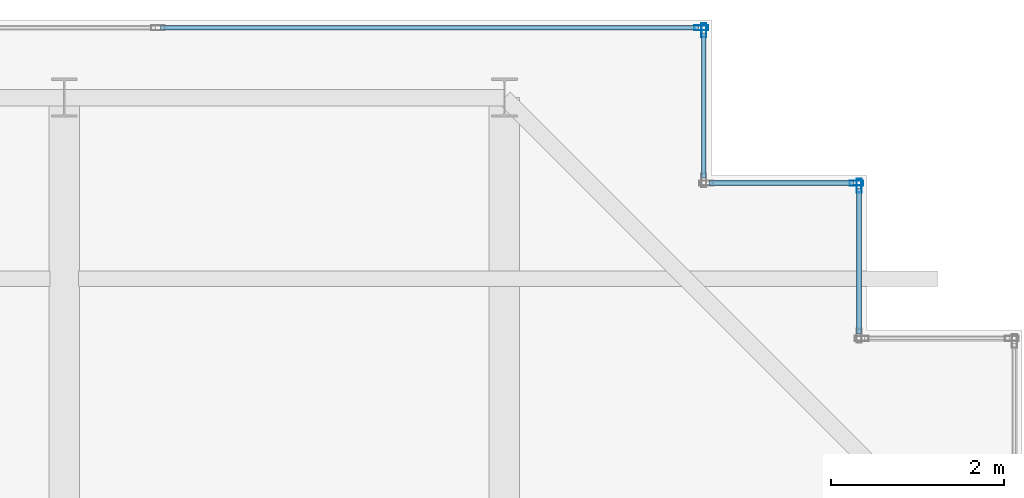
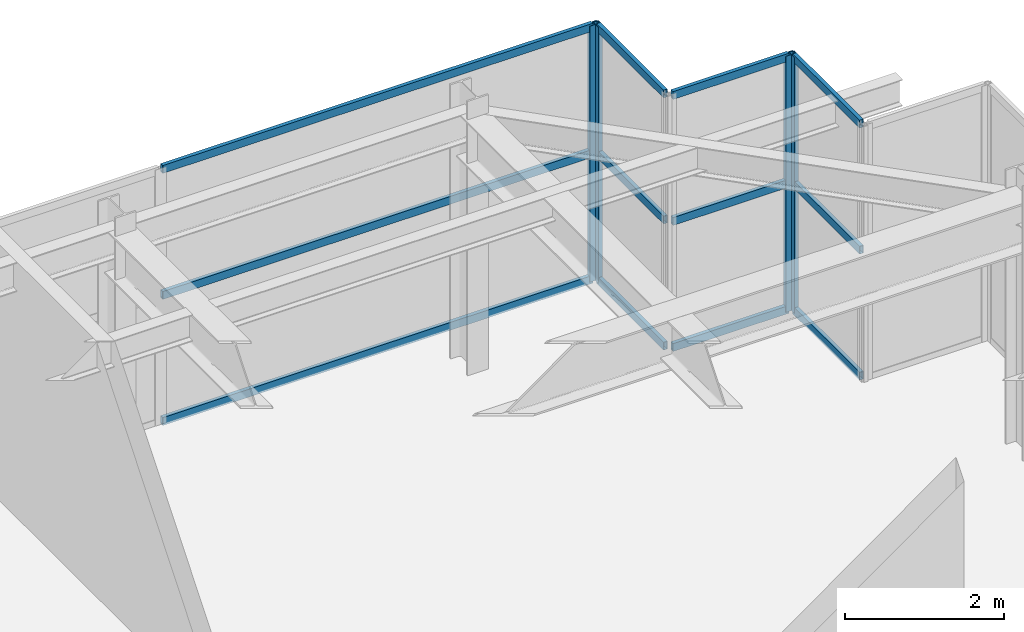
# One storey, part 28 of 32: 16 members, 4 elements without a shape of their own.
"""IFC4 building model written with IfcOpenShell, lengths in metres."""

import ifcopenshell
import ifcopenshell.guid

model = None  # the IFC model being written
_history = None  # IfcOwnerHistory: only IFC2X3 demands one
_inside = {}  # id of a spatial element -> (the spatial element, [elements in it])
_under = {}  # id of a project, library or spatial element -> (it, [spatial elements below it])
_declared = {}  # id of a project -> (the project, [libraries it declares])
_typed = {}  # id of a type object -> (the type object, [elements of that type])
_made_of = {}  # id of a material, layer set ... -> (it, [elements and type objects made of it])


def new_model(schema):
    """Start an empty IFC model of exactly this schema.

    Asked for "IFC4X3", IfcOpenShell would pick the latest addendum, in which some entities
    have other attributes; the version numbers below select the first issue.
    IFC2X3 requires an IfcOwnerHistory on every rooted entity: one is made here for all.
    """
    global model, _history
    if schema == "IFC4X3":
        model = ifcopenshell.file(schema_version=(4, 3, 0, 0))
    else:
        model = ifcopenshell.file(schema=schema)
    _inside.clear()
    _under.clear()
    _declared.clear()
    _typed.clear()
    _made_of.clear()
    _history = None
    if model.schema == "IFC2X3":
        org = make("IfcOrganization", Name="unknown")
        user = make(
            "IfcPersonAndOrganization",
            ThePerson=make("IfcPerson", FamilyName="unknown"),
            TheOrganization=org,
        )
        app = make(
            "IfcApplication",
            ApplicationDeveloper=org,
            Version="unknown",
            ApplicationFullName="unknown",
            ApplicationIdentifier="unknown",
        )
        _history = make(
            "IfcOwnerHistory",
            OwningUser=user,
            OwningApplication=app,
            ChangeAction="ADDED",
            CreationDate=0,
        )
    return model


def make(cls, **values):
    """One entity of the class cls with the attributes given. An attribute that is None is left unset."""
    return model.create_entity(
        cls, **{name: value for name, value in values.items() if value is not None}
    )


def rooted(cls, **values):
    """An entity with a GlobalId (a new one), such as an element, a storey or a relation."""
    return make(cls, GlobalId=ifcopenshell.guid.new(), OwnerHistory=_history, **values)


def si_unit(unit_type, name, prefix=None):
    """IfcSIUnit, for example si_unit("LENGTHUNIT", "METRE", prefix="MILLI")."""
    return make("IfcSIUnit", UnitType=unit_type, Prefix=prefix, Name=name)


def assignment(units):
    """IfcUnitAssignment: the units of a project."""
    return None if units is None else make("IfcUnitAssignment", Units=units)


def point(xyz):
    """IfcCartesianPoint."""
    return None if xyz is None else make("IfcCartesianPoint", Coordinates=xyz)


def direction(xyz):
    """IfcDirection."""
    return None if xyz is None else make("IfcDirection", DirectionRatios=xyz)


def frame(location, z_axis=None, x_axis=None):
    """IfcAxis2Placement3D, a coordinate frame: its origin and axes. An axis left out is left unset."""
    return make(
        "IfcAxis2Placement3D",
        Location=point(location),
        Axis=direction(z_axis),
        RefDirection=direction(x_axis),
    )


def frame_2d(location, x_axis=None):
    """IfcAxis2Placement2D, a coordinate frame in the plane: its origin and x axis."""
    return make(
        "IfcAxis2Placement2D", Location=point(location), RefDirection=direction(x_axis)
    )


def origin():
    """The frame at (0, 0, 0) with its axes left unset."""
    return frame((0.0, 0.0, 0.0))


def origin_2d():
    """The frame at (0, 0) in the plane with its x axis left unset."""
    return frame_2d((0.0, 0.0))


def place(relative_to, where):
    """IfcLocalPlacement: puts the frame where relative to a parent placement (None: the world)."""
    return make(
        "IfcLocalPlacement", PlacementRelTo=relative_to, RelativePlacement=where
    )


def context(
    kind, dimensions, precision=None, world=None, true_north=None, identifier=None
):
    """IfcGeometricRepresentationContext, for example the 3D "Model" context."""
    return make(
        "IfcGeometricRepresentationContext",
        ContextIdentifier=identifier,
        ContextType=kind,
        CoordinateSpaceDimension=dimensions,
        Precision=precision,
        WorldCoordinateSystem=world,
        TrueNorth=true_north,
    )


def subcontext(parent, identifier, kind, view, scale=None):
    """IfcGeometricRepresentationSubContext, for example "Body" below "Model"."""
    return make(
        "IfcGeometricRepresentationSubContext",
        ContextIdentifier=identifier,
        ContextType=kind,
        ParentContext=parent,
        TargetScale=scale,
        TargetView=view,
    )


def project(units=None, contexts=None):
    """IfcProject with its units and contexts."""
    return rooted(
        "IfcProject",
        Name="project",
        RepresentationContexts=contexts,
        UnitsInContext=assignment(units),
    )


def spatial(cls, under=None, at=None, **own):
    """A site, building, storey or space (cls), placed at a placement, below another one or the project."""
    s = rooted(cls, ObjectPlacement=at, **own)
    if under is not None:
        _under.setdefault(under.id(), (under, []))[1].append(s)
    return s


def profile(cls, at=None, kind="AREA", **sizes):
    """A parametric profile (cls). Its sizes go by their IFC names, for example OverallWidth=200.0."""
    return make(cls, ProfileType=kind, Position=at, **sizes)


def hollow_rectangle(**sizes):
    """IfcRectangleHollowProfileDef."""
    return profile("IfcRectangleHollowProfileDef", **sizes)


def extrude(swept, where, along, depth):
    """IfcExtrudedAreaSolid: the profile swept, set in the frame where, extruded along a direction by depth."""
    return make(
        "IfcExtrudedAreaSolid",
        SweptArea=swept,
        Position=where,
        ExtrudedDirection=direction(along),
        Depth=depth,
    )


def shape(context_of_items, identifier, shape_type, items):
    """IfcShapeRepresentation: the items that make up one representation, for example the "Body"."""
    return make(
        "IfcShapeRepresentation",
        ContextOfItems=context_of_items,
        RepresentationIdentifier=identifier,
        RepresentationType=shape_type,
        Items=items,
    )


def source(mapping_origin, context_of_items, identifier, shape_type, items):
    """IfcRepresentationMap: a shape defined once, which mapped items show again and again."""
    return make(
        "IfcRepresentationMap",
        MappingOrigin=mapping_origin,
        MappedRepresentation=shape(context_of_items, identifier, shape_type, items),
    )


def transform(
    local_origin,
    x_axis=None,
    y_axis=None,
    z_axis=None,
    scale=None,
    scale2=None,
    scale3=None,
    uniform=True,
):
    """IfcCartesianTransformationOperator3D, or its non-uniform kind. x_axis, y_axis, z_axis: its Axis1, 2, 3."""
    if uniform:
        return make(
            "IfcCartesianTransformationOperator3D",
            Axis1=direction(x_axis),
            Axis2=direction(y_axis),
            LocalOrigin=point(local_origin),
            Scale=scale,
            Axis3=direction(z_axis),
        )
    return make(
        "IfcCartesianTransformationOperator3DnonUniform",
        Axis1=direction(x_axis),
        Axis2=direction(y_axis),
        LocalOrigin=point(local_origin),
        Scale=scale,
        Axis3=direction(z_axis),
        Scale2=scale2,
        Scale3=scale3,
    )


def mapped(mapping_source, mapping_target):
    """IfcMappedItem: shows the shape of a source again, moved by a transform."""
    return make(
        "IfcMappedItem", MappingSource=mapping_source, MappingTarget=mapping_target
    )


def material(Name=None, Category=None):
    """IfcMaterial."""
    return make("IfcMaterial", Name=Name, Category=Category)


def layer(
    of_material, thickness, ventilated=None, Name=None, Category=None, Priority=None
):
    """IfcMaterialLayer: one layer of a wall or slab, of a material (None: an air gap)."""
    return make(
        "IfcMaterialLayer",
        Material=of_material,
        LayerThickness=thickness,
        IsVentilated=ventilated,
        Name=Name,
        Category=Category,
        Priority=Priority,
    )


def layer_set(layers, Name=None):
    """IfcMaterialLayerSet."""
    return make("IfcMaterialLayerSet", MaterialLayers=layers, LayerSetName=Name)


def material_profile(
    of_material, cross_section, Name=None, Category=None, Priority=None
):
    """IfcMaterialProfile: a cross section and its material."""
    return make(
        "IfcMaterialProfile",
        Name=Name,
        Material=of_material,
        Profile=cross_section,
        Priority=Priority,
        Category=Category,
    )


def profile_set(profiles, Name=None, composite=None):
    """IfcMaterialProfileSet."""
    return make(
        "IfcMaterialProfileSet",
        Name=Name,
        MaterialProfiles=profiles,
        CompositeProfile=composite,
    )


def made_of(thing, what):
    """Note that an element or type object is made of a material, layer set ...; save() writes the relation."""
    if what is not None:
        _made_of.setdefault(what.id(), (what, []))[1].append(thing)
    return thing


def type_object(cls, material=None, **own):
    """A type object (cls), such as IfcWallType, which elements share."""
    return made_of(rooted(cls, **own), material)


def element(
    cls,
    number,
    at=None,
    inside=None,
    cuts=None,
    type_object=None,
    material=None,
    context=None,
    identifier="Body",
    shape_type=None,
    held_by="IfcProductDefinitionShape",
    body=None,
    shapes=None,
    **own,
):
    """One element of the class cls, such as IfcWall. Its Tag is "e" and its number.

    at: its placement. inside: the storey or other place that contains it. cuts: it is an
    opening in that element (IfcRelVoidsElement). A single representation is given by context,
    identifier, shape_type and body (its items); several are given by shapes. held_by: the class
    of the entity that holds the representations. save() writes the other relations.
    """
    e = rooted(cls, Tag="e%d" % number, ObjectPlacement=at, **own)
    if body is not None:
        shapes = [shape(context, identifier, shape_type, body)]
    if shapes is not None:
        e.Representation = make(held_by, Representations=shapes)
    if inside is not None:
        _inside.setdefault(inside.id(), (inside, []))[1].append(e)
    if cuts is not None:
        rooted(
            "IfcRelVoidsElement", RelatingBuildingElement=cuts, RelatedOpeningElement=e
        )
    if type_object is not None:
        _typed.setdefault(type_object.id(), (type_object, []))[1].append(e)
    return made_of(e, material)


def aggregate(whole, parts):
    """IfcRelAggregates: a whole, such as a stair, and the parts it consists of."""
    return rooted("IfcRelAggregates", RelatingObject=whole, RelatedObjects=parts)


def save(model, path):
    """Write the relations noted so far, then the file.

    IfcRelAggregates (storeys below a building ...), IfcRelContainedInSpatialStructure (elements
    in a storey), IfcRelDefinesByType, IfcRelAssociatesMaterial and IfcRelDeclares: one each for
    every whole, place, type object, material and project.
    """
    for whole, parts in _under.values():
        aggregate(whole, parts)
    for where, things in _inside.values():
        rooted(
            "IfcRelContainedInSpatialStructure",
            RelatedElements=things,
            RelatingStructure=where,
        )
    for kind, things in _typed.values():
        rooted("IfcRelDefinesByType", RelatedObjects=things, RelatingType=kind)
    for what, things in _made_of.values():
        rooted("IfcRelAssociatesMaterial", RelatedObjects=things, RelatingMaterial=what)
    for by, libraries in _declared.values():
        rooted("IfcRelDeclares", RelatingContext=by, RelatedDefinitions=libraries)
    model.write(path)


model = new_model("IFC4")

# Units and contexts
model_context = context("Model", 3, precision=1e-05, world=origin(), true_north=direction((0.0, 1.0)))
body_context = subcontext(model_context, "Body", "Model", "MODEL_VIEW")
ifc_project = project(units=[si_unit("LENGTHUNIT", "METRE"), si_unit("AREAUNIT", "SQUARE_METRE"), si_unit("VOLUMEUNIT", "CUBIC_METRE"), si_unit("PLANEANGLEUNIT", "RADIAN"), si_unit("MASSUNIT", "GRAM", prefix="KILO")], contexts=[model_context])

# Site, building, storey
site_placement = place(None, origin())
site = spatial("IfcSite", under=ifc_project, at=site_placement, CompositionType="ELEMENT")
building_placement = place(site_placement, origin())
building = spatial("IfcBuilding", under=site, at=building_placement, Name="Khoralis Quay Care Tower", CompositionType="ELEMENT")
storey_placement = place(building_placement, frame((0.0, 0.0, 297.89990234375)))
storey = spatial("IfcBuildingStorey", under=building, at=storey_placement, Name="L78", CompositionType="ELEMENT", Elevation=297.89990234375)

# Curtain wall, member
ifc_material = material(Name="Pale anodised aluminium", Category="aluminium")
ifc_layer = layer(ifc_material, 0.199951171875)
ifc_layer_set = layer_set([ifc_layer], Name="Pale anodised aluminium")
curtain_wall_type = type_object("IfcCurtainWallType", Name="CW-SYS-LANTERN", PredefinedType="NOTDEFINED", material=ifc_layer_set)
curtain_wall_1_placement = place(storey_placement, origin())
curtain_wall_1 = element("IfcCurtainWall", 1, at=curtain_wall_1_placement, inside=storey, type_object=curtain_wall_type, Name="L78 Unitised Curtain Wall CW-LN-L78-08", PredefinedType="NOTDEFINED")
ifc_material_profile_1 = material_profile(ifc_material, hollow_rectangle(XDim=0.06005859375, YDim=0.159912109375, WallThickness=0.00390625, at=origin_2d()), Name="Pale anodised aluminium")
ifc_profile_set_1 = profile_set([ifc_material_profile_1], Name="Pale anodised aluminium")
member_type_1 = type_object("IfcMemberType", Name="CW-MUL-160", PredefinedType="MULLION", material=ifc_profile_set_1)
shared_shape_1 = source(origin(), body_context, "Body", "SweptSolid", [
    extrude(hollow_rectangle(XDim=0.06005859375, YDim=0.159912109375, WallThickness=0.00390625, at=origin_2d()), origin(), (0.0, 0.0, 1.0), 3.920166015625),
])
member_1_placement = place(storey_placement, frame((40.110107421875, 40.080078125, 0.0), z_axis=(0.0, 0.0, 1.0), x_axis=(-1.0, 0.0, 0.0)))
member_1 = element("IfcMember", 2, at=member_1_placement, type_object=member_type_1, Name="CW5 mullion 2", PredefinedType="MULLION", context=body_context, shape_type="MappedRepresentation", body=[
    mapped(shared_shape_1, transform((0.0, 0.0, 0.0), scale=1.0)),
])

curtain_wall_2_placement = place(storey_placement, origin())
curtain_wall_2 = element("IfcCurtainWall", 3, at=curtain_wall_2_placement, inside=storey, type_object=curtain_wall_type, Name="L78 Unitised Curtain Wall CW-LN-L78-09", PredefinedType="NOTDEFINED")
member_2_placement = place(storey_placement, frame((40.080078125, 40.110107421875, 0.0), z_axis=(0.0, 0.0, 1.0), x_axis=(0.0, -1.0, 0.0)))
member_2 = element("IfcMember", 4, at=member_2_placement, type_object=member_type_1, Name="CW5 mullion 1", PredefinedType="MULLION", context=body_context, shape_type="MappedRepresentation", body=[
    mapped(shared_shape_1, transform((0.0, 0.0, 0.0), scale=1.0)),
])

curtain_wall_3_placement = place(storey_placement, origin())
curtain_wall_3 = element("IfcCurtainWall", 5, at=curtain_wall_3_placement, inside=storey, type_object=curtain_wall_type, Name="L78 Unitised Curtain Wall CW-LN-L78-10", PredefinedType="NOTDEFINED")
member_3_placement = place(storey_placement, frame((38.31005859375, 41.8798828125, 0.0), z_axis=(0.0, 0.0, 1.0), x_axis=(-1.0, 0.0, 0.0)))
member_3 = element("IfcMember", 6, at=member_3_placement, type_object=member_type_1, Name="CW5 mullion 2", PredefinedType="MULLION", context=body_context, shape_type="MappedRepresentation", body=[
    mapped(shared_shape_1, transform((0.0, 0.0, 0.0), scale=1.0)),
])

# Curtain wall, members
curtain_wall_4_placement = place(storey_placement, origin())
curtain_wall_4 = element("IfcCurtainWall", 7, at=curtain_wall_4_placement, inside=storey, type_object=curtain_wall_type, Name="L78 Unitised Curtain Wall CW-LN-L78-11", PredefinedType="NOTDEFINED")
member_4_placement = place(storey_placement, frame((38.280029296875, 41.909912109375, 0.0), z_axis=(0.0, 0.0, 1.0), x_axis=(0.0, -1.0, 0.0)))
member_4 = element("IfcMember", 8, at=member_4_placement, type_object=member_type_1, Name="CW5 mullion 1", PredefinedType="MULLION", context=body_context, shape_type="MappedRepresentation", body=[
    mapped(shared_shape_1, transform((0.0, 0.0, 0.0), scale=1.0)),
])
ifc_material_profile_2 = material_profile(ifc_material, hollow_rectangle(XDim=0.054931640625, YDim=0.1201171875, WallThickness=0.00390625, at=origin_2d()), Name="Pale anodised aluminium")
ifc_profile_set_2 = profile_set([ifc_material_profile_2], Name="Pale anodised aluminium")
member_type_2 = type_object("IfcMemberType", Name="CW-TRN-120", PredefinedType="USERDEFINED", material=ifc_profile_set_2)
shared_shape_2 = source(origin(), body_context, "Body", "SweptSolid", [
    extrude(hollow_rectangle(XDim=0.054931640625, YDim=0.1201171875, WallThickness=0.00390625, at=origin_2d()), origin(), (0.0, 0.0, 1.0), 6.23388671875),
])
member_5_placement = place(storey_placement, frame((38.25, 41.909912109375, 0.030029296875), z_axis=(-1.0, 0.0, 0.0), x_axis=(0.0, -1.0, 0.0)))
member_5 = element("IfcMember", 9, at=member_5_placement, type_object=member_type_2, Name="CW5 transom 1.1", ObjectType="TRANSOM", PredefinedType="USERDEFINED", context=body_context, shape_type="MappedRepresentation", body=[
    mapped(shared_shape_2, transform((0.0, 0.0, 0.0), scale=1.0)),
])
member_6_placement = place(storey_placement, frame((38.25, 41.909912109375, 1.960205078125), z_axis=(-1.0, 0.0, 0.0), x_axis=(0.0, -1.0, 0.0)))
member_6 = element("IfcMember", 10, at=member_6_placement, type_object=member_type_2, Name="CW5 transom 1.2", ObjectType="TRANSOM", PredefinedType="USERDEFINED", context=body_context, shape_type="MappedRepresentation", body=[
    mapped(shared_shape_2, transform((0.0, 0.0, 0.0), scale=1.0)),
])
member_7_placement = place(storey_placement, frame((38.25, 41.909912109375, 3.89013671875), z_axis=(-1.0, 0.0, 0.0), x_axis=(0.0, -1.0, 0.0)))
member_7 = element("IfcMember", 11, at=member_7_placement, type_object=member_type_2, Name="CW5 transom 1.3", ObjectType="TRANSOM", PredefinedType="USERDEFINED", context=body_context, shape_type="MappedRepresentation", body=[
    mapped(shared_shape_2, transform((0.0, 0.0, 0.0), scale=1.0)),
])
aggregate(curtain_wall_4, [member_4, member_5, member_6, member_7])

# Member
shared_shape_3 = source(origin(), body_context, "Body", "SweptSolid", [
    extrude(hollow_rectangle(XDim=0.054931640625, YDim=0.1201171875, WallThickness=0.00390625, at=origin_2d()), origin(), (0.0, 0.0, 1.0), 1.68017578125),
])
member_8_placement = place(storey_placement, frame((38.31005859375, 40.169921875, 0.030029296875), z_axis=(0.0, 1.0, 0.0), x_axis=(-1.0, 0.0, 0.0)))
member_8 = element("IfcMember", 12, at=member_8_placement, type_object=member_type_2, Name="CW5 transom 1.1", ObjectType="TRANSOM", PredefinedType="USERDEFINED", context=body_context, shape_type="MappedRepresentation", body=[
    mapped(shared_shape_3, transform((0.0, 0.0, 0.0), scale=1.0)),
])

member_9_placement = place(storey_placement, frame((38.31005859375, 40.169921875, 1.960205078125), z_axis=(0.0, 1.0, 0.0), x_axis=(-1.0, 0.0, 0.0)))
member_9 = element("IfcMember", 13, at=member_9_placement, type_object=member_type_2, Name="CW5 transom 1.2", ObjectType="TRANSOM", PredefinedType="USERDEFINED", context=body_context, shape_type="MappedRepresentation", body=[
    mapped(shared_shape_3, transform((0.0, 0.0, 0.0), scale=1.0)),
])

member_10_placement = place(storey_placement, frame((38.31005859375, 40.169921875, 3.89013671875), z_axis=(0.0, 1.0, 0.0), x_axis=(-1.0, 0.0, 0.0)))
member_10 = element("IfcMember", 14, at=member_10_placement, type_object=member_type_2, Name="CW5 transom 1.3", ObjectType="TRANSOM", PredefinedType="USERDEFINED", context=body_context, shape_type="MappedRepresentation", body=[
    mapped(shared_shape_3, transform((0.0, 0.0, 0.0), scale=1.0)),
])

aggregate(curtain_wall_3, [member_3, member_8, member_9, member_10])

shared_shape_4 = source(origin(), body_context, "Body", "SweptSolid", [
    extrude(hollow_rectangle(XDim=0.054931640625, YDim=0.1201171875, WallThickness=0.00390625, at=origin_2d()), origin(), (0.0, 0.0, 1.0), 1.679931640625),
])
member_11_placement = place(storey_placement, frame((40.110107421875, 38.3701171875, 0.030029296875), z_axis=(0.0, 1.0, 0.0), x_axis=(-1.0, 0.0, 0.0)))
member_11 = element("IfcMember", 15, at=member_11_placement, type_object=member_type_2, Name="CW5 transom 1.1", ObjectType="TRANSOM", PredefinedType="USERDEFINED", context=body_context, shape_type="MappedRepresentation", body=[
    mapped(shared_shape_4, transform((0.0, 0.0, 0.0), scale=1.0)),
])

member_12_placement = place(storey_placement, frame((40.110107421875, 38.3701171875, 1.960205078125), z_axis=(0.0, 1.0, 0.0), x_axis=(-1.0, 0.0, 0.0)))
member_12 = element("IfcMember", 16, at=member_12_placement, type_object=member_type_2, Name="CW5 transom 1.2", ObjectType="TRANSOM", PredefinedType="USERDEFINED", context=body_context, shape_type="MappedRepresentation", body=[
    mapped(shared_shape_4, transform((0.0, 0.0, 0.0), scale=1.0)),
])

member_13_placement = place(storey_placement, frame((40.110107421875, 38.3701171875, 3.89013671875), z_axis=(0.0, 1.0, 0.0), x_axis=(-1.0, 0.0, 0.0)))
member_13 = element("IfcMember", 17, at=member_13_placement, type_object=member_type_2, Name="CW5 transom 1.3", ObjectType="TRANSOM", PredefinedType="USERDEFINED", context=body_context, shape_type="MappedRepresentation", body=[
    mapped(shared_shape_4, transform((0.0, 0.0, 0.0), scale=1.0)),
])

aggregate(curtain_wall_1, [member_1, member_11, member_12, member_13])

member_14_placement = place(storey_placement, frame((40.050048828125, 40.110107421875, 0.030029296875), z_axis=(-1.0, 0.0, 0.0), x_axis=(0.0, -1.0, 0.0)))
member_14 = element("IfcMember", 18, at=member_14_placement, type_object=member_type_2, Name="CW5 transom 1.1", ObjectType="TRANSOM", PredefinedType="USERDEFINED", context=body_context, shape_type="MappedRepresentation", body=[
    mapped(shared_shape_4, transform((0.0, 0.0, 0.0), scale=1.0)),
])

member_15_placement = place(storey_placement, frame((40.050048828125, 40.110107421875, 1.960205078125), z_axis=(-1.0, 0.0, 0.0), x_axis=(0.0, -1.0, 0.0)))
member_15 = element("IfcMember", 19, at=member_15_placement, type_object=member_type_2, Name="CW5 transom 1.2", ObjectType="TRANSOM", PredefinedType="USERDEFINED", context=body_context, shape_type="MappedRepresentation", body=[
    mapped(shared_shape_4, transform((0.0, 0.0, 0.0), scale=1.0)),
])

member_16_placement = place(storey_placement, frame((40.050048828125, 40.110107421875, 3.89013671875), z_axis=(-1.0, 0.0, 0.0), x_axis=(0.0, -1.0, 0.0)))
member_16 = element("IfcMember", 20, at=member_16_placement, type_object=member_type_2, Name="CW5 transom 1.3", ObjectType="TRANSOM", PredefinedType="USERDEFINED", context=body_context, shape_type="MappedRepresentation", body=[
    mapped(shared_shape_4, transform((0.0, 0.0, 0.0), scale=1.0)),
])

aggregate(curtain_wall_2, [member_2, member_14, member_15, member_16])

save(model, "model.ifc")
